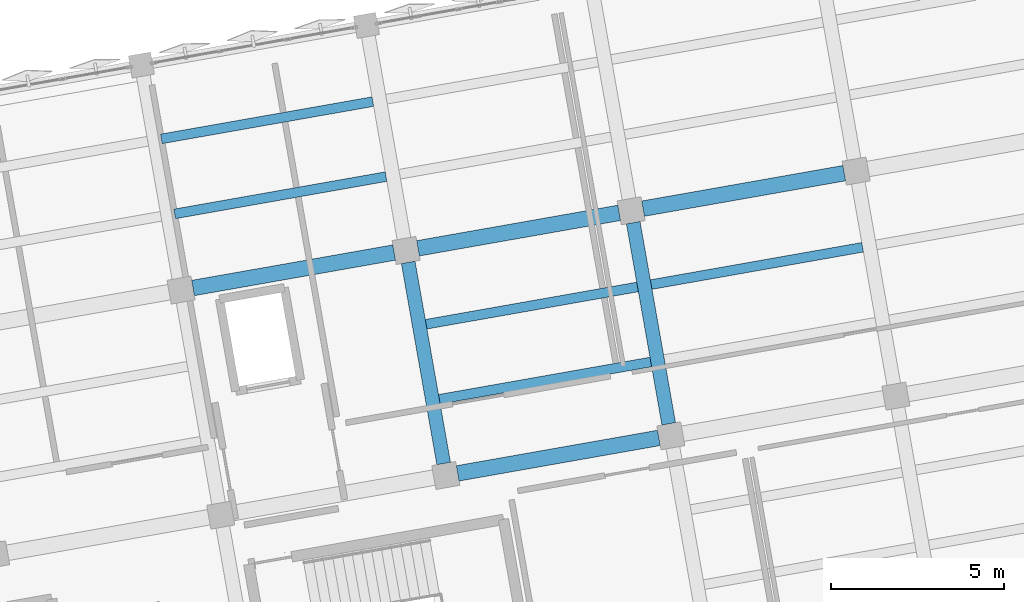
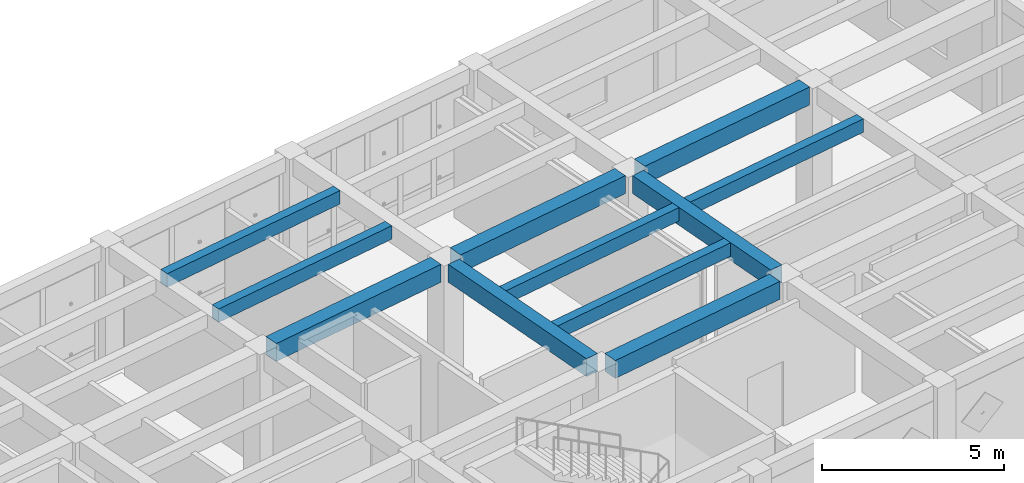
# One storey, part 7 of 39: 11 beams.
"""IFC4 building model written with IfcOpenShell, lengths in metres."""

from ifc_helpers import new_model, si_unit, direction, frame, origin, origin_2d, place, context, subcontext, project, spatial, rectangle, extrude, material, material_profile, profile_set, type_object, element, save


model = new_model("IFC4")

# Units and contexts
model_context = context("Model", 3, precision=1e-05, world=origin(), true_north=direction((0.0, 1.0)))
body_context = subcontext(model_context, "Body", "Model", "MODEL_VIEW")
ifc_project = project(units=[si_unit("LENGTHUNIT", "METRE"), si_unit("AREAUNIT", "SQUARE_METRE"), si_unit("VOLUMEUNIT", "CUBIC_METRE"), si_unit("PLANEANGLEUNIT", "RADIAN"), si_unit("MASSUNIT", "GRAM", prefix="KILO")], contexts=[model_context])

# Site, building, storey
site_placement = place(None, origin())
site = spatial("IfcSite", under=ifc_project, at=site_placement, CompositionType="ELEMENT")
building_placement = place(site_placement, origin())
building = spatial("IfcBuilding", under=site, at=building_placement, Name="Kharisveld Research Institute", CompositionType="ELEMENT")
storey_placement = place(building_placement, frame((0.0, 0.0, 23.10009765625)))
storey = spatial("IfcBuildingStorey", under=building, at=storey_placement, Name="L05", CompositionType="ELEMENT", Elevation=23.10009765625)

# Beams
ifc_material_1 = material(Name="Concrete C40/50", Category="concrete")
ifc_material_profile_1 = material_profile(ifc_material_1, rectangle(XDim=0.39990234375, YDim=0.60009765625, at=origin_2d()))
ifc_profile_set_1 = profile_set([ifc_material_profile_1], Name="Concrete C40/50")
beam_type_1 = type_object("IfcBeamType", Name="BM_RC_400x600", PredefinedType="BEAM", material=ifc_profile_set_1)
for number, where, z_axis, x_axis, name in (
    (1, (23.492431640625, 45.292724609375, 4.010009765625), (-0.173672023659, 0.984803548023, 0.0), (-0.984803548023, -0.173672023659, 0.0), "BM:V1:L05:V3_1"),
    (2, (29.9921875, 46.438720703125, 4.010009765625), (-0.173672023659, 0.984803548023, 0.0), (-0.984803548023, -0.173672023659, 0.0), "BM:V1:L05:V4_1"),
):
    element("IfcBeam", number, at=place(storey_placement, frame(where, z_axis=z_axis, x_axis=x_axis)), inside=storey, type_object=beam_type_1, Name=name, PredefinedType="BEAM", context=body_context, shape_type="SweptSolid", body=[
        extrude(rectangle(XDim=0.39990234375, YDim=0.60009765625, at=origin_2d()), origin(), (0.0, 0.0, 1.0), 5.89990234375),
    ])
ifc_material_2 = material(Name="Concrete C40/50", Category="concrete")
ifc_material_profile_2 = material_profile(ifc_material_2, rectangle(XDim=0.449951171875, YDim=0.60009765625, at=origin_2d()))
ifc_profile_set_2 = profile_set([ifc_material_profile_2], Name="Concrete C40/50")
beam_type_2 = type_object("IfcBeamType", Name="BM_RC_450x600", PredefinedType="BEAM", material=ifc_profile_set_2)
beam_1_placement = place(storey_placement, frame((23.897705078125, 45.0087890625, 4.010009765625), z_axis=(0.98481187206, 0.173624815763, 0.0), x_axis=(-0.173624815763, 0.98481187206, 0.0)))
element("IfcBeam", 3, at=beam_1_placement, inside=storey, type_object=beam_type_2, Name="BM:V1:L05:U3_1", PredefinedType="BEAM", context=body_context, shape_type="SweptSolid", body=[
    extrude(rectangle(XDim=0.449951171875, YDim=0.60009765625, at=origin_2d()), origin(), (0.0, 0.0, 1.0), 5.900146484375),
])
for number, where, z_axis, x_axis, name in (
    (4, (16.251953125, 50.3623046875, 4.010009765625), (0.984803548023, 0.173672023659, 0.0), (-0.173672023659, 0.984803548023, 0.0), "BM:V1:L05:U2_2"),
    (5, (22.751708984375, 51.508544921875, 4.010009765625), (0.984810624601, 0.173631891291, 0.0), (-0.173631891291, 0.984810624601, 0.0), "BM:V1:L05:U3_2"),
    (6, (29.25146484375, 52.654541015625, 4.010009765625), (0.984810624601, 0.173631891291, 0.0), (-0.173631891291, 0.984810624601, 0.0), "BM:V1:L05:U4_2"),
):
    element("IfcBeam", number, at=place(storey_placement, frame(where, z_axis=z_axis, x_axis=x_axis)), inside=storey, type_object=beam_type_2, Name=name, PredefinedType="BEAM", context=body_context, shape_type="SweptSolid", body=[
        extrude(rectangle(XDim=0.449951171875, YDim=0.60009765625, at=origin_2d()), origin(), (0.0, 0.0, 1.0), 5.89990234375),
    ])
ifc_material_3 = material(Name="Concrete C40/50", Category="concrete")
ifc_material_profile_3 = material_profile(ifc_material_3, rectangle(XDim=0.280029296875, YDim=0.449951171875, at=origin_2d()))
ifc_profile_set_3 = profile_set([ifc_material_profile_3], Name="Concrete C40/50")
beam_type_3 = type_object("IfcBeamType", Name="WB_RC_280x450", PredefinedType="JOIST", material=ifc_profile_set_3)
beam_2_placement = place(storey_placement, frame((15.72216796875, 52.5029296875, 4.0849609375), z_axis=(0.984807334084, 0.173650553511, 0.0), x_axis=(-0.173650553511, 0.984807334084, 0.0)))
element("IfcBeam", 7, at=beam_2_placement, inside=storey, type_object=beam_type_3, Name="BM:V1:L05:J_2_2_R1", PredefinedType="JOIST", context=body_context, shape_type="SweptSolid", body=[
    extrude(rectangle(XDim=0.280029296875, YDim=0.449951171875, at=origin_2d()), origin(), (0.0, 0.0, 1.0), 6.2001953125),
])
for number, where, z_axis, x_axis, name in (
    (8, (15.34033203125, 54.66943359375, 4.0849609375), (0.984806146634, 0.173657287643, 0.0), (-0.173657287643, 0.984806146634, 0.0), "BM:V1:L05:J_2_2_R2"),
    (9, (23.3681640625, 47.149169921875, 4.0849609375), (0.984806146634, 0.173657287643, 0.0), (-0.173657287643, 0.984806146634, 0.0), "BM:V1:L05:J_3_1_R1"),
    (10, (22.986083984375, 49.31591796875, 4.0849609375), (0.984806146634, 0.173657287643, 0.0), (-0.173657287643, 0.984806146634, 0.0), "BM:V1:L05:J_3_1_R2"),
    (11, (29.48583984375, 50.4619140625, 4.0849609375), (0.984806146634, 0.173657287643, 0.0), (-0.173657287643, 0.984806146634, 0.0), "BM:V1:L05:J_4_1_R2"),
):
    element("IfcBeam", number, at=place(storey_placement, frame(where, z_axis=z_axis, x_axis=x_axis)), inside=storey, type_object=beam_type_3, Name=name, PredefinedType="JOIST", context=body_context, shape_type="SweptSolid", body=[
        extrude(rectangle(XDim=0.280029296875, YDim=0.449951171875, at=origin_2d()), origin(), (0.0, 0.0, 1.0), 6.199951171875),
    ])

save(model, "model.ifc")
